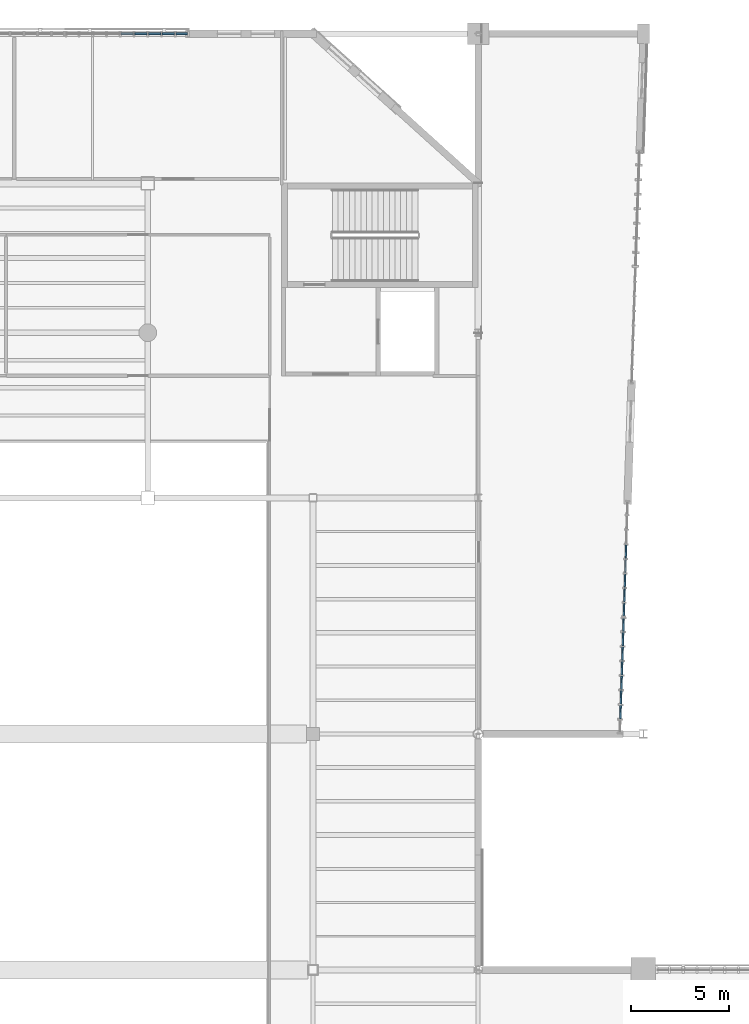
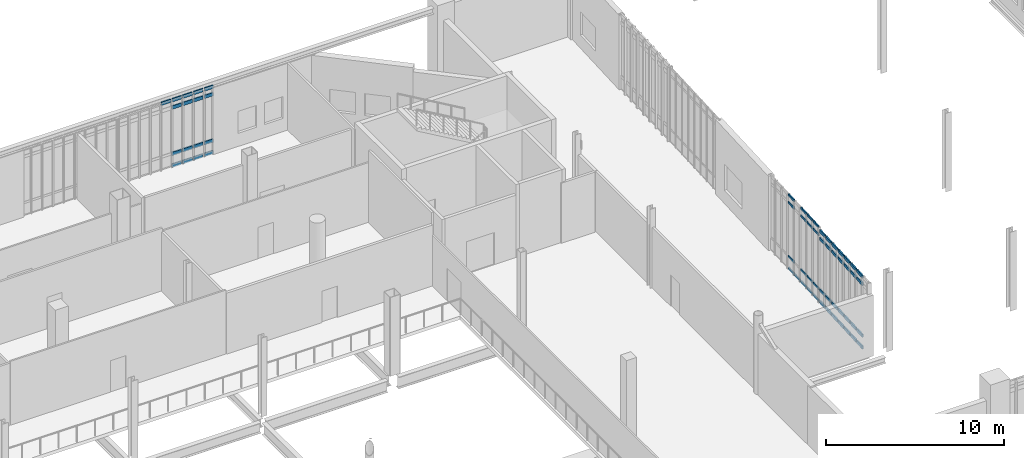
# One storey, part 61 of 127: 62 members, 3 elements without a shape of their own.
"""IFC4 building model written with IfcOpenShell, lengths in metres."""

from ifc_helpers import new_model, si_unit, direction, frame, origin, origin_2d, place, context, subcontext, project, spatial, rectangle, extrude, material, material_profile, profile_set, type_object, element, aggregate, save


model = new_model("IFC4")

# Units and contexts
model_context = context("Model", 3, precision=1e-05, world=origin(), true_north=direction((0.0, 1.0)))
body_context = subcontext(model_context, "Body", "Model", "MODEL_VIEW")
ifc_project = project(units=[si_unit("LENGTHUNIT", "METRE"), si_unit("AREAUNIT", "SQUARE_METRE"), si_unit("VOLUMEUNIT", "CUBIC_METRE"), si_unit("PLANEANGLEUNIT", "RADIAN"), si_unit("MASSUNIT", "GRAM", prefix="KILO")], contexts=[model_context])

# Site, building, storey
site_placement = place(None, origin())
site = spatial("IfcSite", under=ifc_project, at=site_placement, CompositionType="ELEMENT")
building_placement = place(site_placement, origin())
building = spatial("IfcBuilding", under=site, at=building_placement, Name="Larkvane Passage Sports Hall", CompositionType="ELEMENT")
storey_placement = place(building_placement, frame((0.0, 0.0, 5.39990234375)))
storey = spatial("IfcBuildingStorey", under=building, at=storey_placement, Name="L01", CompositionType="ELEMENT", Elevation=5.39990234375)

# Curtain wall, members
ifc_material_1 = material(Name="Thermally broken aluminium and low-E glazing", Category="aluminium")
curtain_wall_type_1 = type_object("IfcCurtainWallType", Name="CW-UNIT-VEIL", PredefinedType="USERDEFINED", material=ifc_material_1)
curtain_wall_1_placement = place(storey_placement, origin())
curtain_wall_1 = element("IfcCurtainWall", 1, at=curtain_wall_1_placement, inside=storey, type_object=curtain_wall_type_1, Name="Curtain wall CW5-L01-045", ObjectType="UNITISED CURTAIN WALL", PredefinedType="USERDEFINED")
ifc_material_2 = material(Name="Anodised aluminium 6063-T6", Category="aluminium")
ifc_material_profile_1 = material_profile(ifc_material_2, rectangle(XDim=0.070068359375, YDim=0.159912109375, at=origin_2d()), Name="ALU-TRN-70x160")
ifc_profile_set_1 = profile_set([ifc_material_profile_1], Name="Anodised aluminium 6063-T6")
member_type_1 = type_object("IfcMemberType", Name="CW-TRN-70x160", PredefinedType="USERDEFINED", material=ifc_profile_set_1)
member_1_placement = place(storey_placement, frame((101.123779296875, 73.206787109375, 0.03515625), z_axis=(-0.033774324884, -0.999429484745, 0.0), x_axis=(0.999429484745, -0.033774324884, 0.0)))
member_1 = element("IfcMember", 2, at=member_1_placement, type_object=member_type_1, Name="CW-02 transom 4.1", ObjectType="TRANSOM", PredefinedType="USERDEFINED", context=body_context, shape_type="SweptSolid", body=[
    extrude(rectangle(XDim=0.070068359375, YDim=0.159912109375, at=origin_2d()), origin(), (0.0, 0.0, 1.0), 0.67236328125),
])
member_2_placement = place(storey_placement, frame((101.123779296875, 73.206787109375, 0.85009765625), z_axis=(-0.033774324884, -0.999429484745, 0.0), x_axis=(0.999429484745, -0.033774324884, 0.0)))
member_2 = element("IfcMember", 3, at=member_2_placement, type_object=member_type_1, Name="CW-02 transom 4.2", ObjectType="TRANSOM", PredefinedType="USERDEFINED", context=body_context, shape_type="SweptSolid", body=[
    extrude(rectangle(XDim=0.070068359375, YDim=0.159912109375, at=origin_2d()), origin(), (0.0, 0.0, 1.0), 0.67236328125),
])
member_3_placement = place(storey_placement, frame((101.123779296875, 73.206787109375, 4.550048828125), z_axis=(-0.033774324884, -0.999429484745, 0.0), x_axis=(0.999429484745, -0.033774324884, 0.0)))
member_3 = element("IfcMember", 4, at=member_3_placement, type_object=member_type_1, Name="CW-02 transom 4.3", ObjectType="TRANSOM", PredefinedType="USERDEFINED", context=body_context, shape_type="SweptSolid", body=[
    extrude(rectangle(XDim=0.070068359375, YDim=0.159912109375, at=origin_2d()), origin(), (0.0, 0.0, 1.0), 0.67236328125),
])
member_4_placement = place(storey_placement, frame((101.123779296875, 73.206787109375, 5.065185546875), z_axis=(-0.033774324884, -0.999429484745, 0.0), x_axis=(0.999429484745, -0.033774324884, 0.0)))
member_4 = element("IfcMember", 5, at=member_4_placement, type_object=member_type_1, Name="CW-02 transom 4.4", ObjectType="TRANSOM", PredefinedType="USERDEFINED", context=body_context, shape_type="SweptSolid", body=[
    extrude(rectangle(XDim=0.070068359375, YDim=0.159912109375, at=origin_2d()), origin(), (0.0, 0.0, 1.0), 0.67236328125),
])
member_5_placement = place(storey_placement, frame((101.098876953125, 72.465087890625, 0.03515625), z_axis=(-0.033774324884, -0.999429484745, 0.0), x_axis=(0.999429484745, -0.033774324884, 0.0)))
member_5 = element("IfcMember", 6, at=member_5_placement, type_object=member_type_1, Name="CW-02 transom 5.1", ObjectType="TRANSOM", PredefinedType="USERDEFINED", context=body_context, shape_type="SweptSolid", body=[
    extrude(rectangle(XDim=0.070068359375, YDim=0.159912109375, at=origin_2d()), origin(), (0.0, 0.0, 1.0), 0.67236328125),
])
member_6_placement = place(storey_placement, frame((101.07373046875, 71.723388671875, 0.03515625), z_axis=(-0.033411567714, -0.99944167771, 0.0), x_axis=(0.99944167771, -0.033411567714, 0.0)))
member_6 = element("IfcMember", 7, at=member_6_placement, type_object=member_type_1, Name="CW-02 transom 6.1", ObjectType="TRANSOM", PredefinedType="USERDEFINED", context=body_context, shape_type="SweptSolid", body=[
    extrude(rectangle(XDim=0.070068359375, YDim=0.159912109375, at=origin_2d()), origin(), (0.0, 0.0, 1.0), 0.67236328125),
])
member_7_placement = place(storey_placement, frame((101.07373046875, 71.723388671875, 0.85009765625), z_axis=(-0.033411567714, -0.99944167771, 0.0), x_axis=(0.99944167771, -0.033411567714, 0.0)))
member_7 = element("IfcMember", 8, at=member_7_placement, type_object=member_type_1, Name="CW-02 transom 6.2", ObjectType="TRANSOM", PredefinedType="USERDEFINED", context=body_context, shape_type="SweptSolid", body=[
    extrude(rectangle(XDim=0.070068359375, YDim=0.159912109375, at=origin_2d()), origin(), (0.0, 0.0, 1.0), 0.67236328125),
])
member_8_placement = place(storey_placement, frame((101.07373046875, 71.723388671875, 4.550048828125), z_axis=(-0.033411567714, -0.99944167771, 0.0), x_axis=(0.99944167771, -0.033411567714, 0.0)))
member_8 = element("IfcMember", 9, at=member_8_placement, type_object=member_type_1, Name="CW-02 transom 6.3", ObjectType="TRANSOM", PredefinedType="USERDEFINED", context=body_context, shape_type="SweptSolid", body=[
    extrude(rectangle(XDim=0.070068359375, YDim=0.159912109375, at=origin_2d()), origin(), (0.0, 0.0, 1.0), 0.67236328125),
])
member_9_placement = place(storey_placement, frame((101.07373046875, 71.723388671875, 5.065185546875), z_axis=(-0.033411567714, -0.99944167771, 0.0), x_axis=(0.99944167771, -0.033411567714, 0.0)))
member_9 = element("IfcMember", 10, at=member_9_placement, type_object=member_type_1, Name="CW-02 transom 6.4", ObjectType="TRANSOM", PredefinedType="USERDEFINED", context=body_context, shape_type="SweptSolid", body=[
    extrude(rectangle(XDim=0.070068359375, YDim=0.159912109375, at=origin_2d()), origin(), (0.0, 0.0, 1.0), 0.67236328125),
])
member_10_placement = place(storey_placement, frame((101.048828125, 70.981689453125, 0.03515625), z_axis=(-0.03378658798, -0.999429070256, 0.0), x_axis=(0.999429070256, -0.03378658798, 0.0)))
member_10 = element("IfcMember", 11, at=member_10_placement, type_object=member_type_1, Name="CW-02 transom 7.1", ObjectType="TRANSOM", PredefinedType="USERDEFINED", context=body_context, shape_type="SweptSolid", body=[
    extrude(rectangle(XDim=0.070068359375, YDim=0.159912109375, at=origin_2d()), origin(), (0.0, 0.0, 1.0), 0.672119140625),
])
member_11_placement = place(storey_placement, frame((101.048828125, 70.981689453125, 0.85009765625), z_axis=(-0.03378658798, -0.999429070256, 0.0), x_axis=(0.999429070256, -0.03378658798, 0.0)))
member_11 = element("IfcMember", 12, at=member_11_placement, type_object=member_type_1, Name="CW-02 transom 7.2", ObjectType="TRANSOM", PredefinedType="USERDEFINED", context=body_context, shape_type="SweptSolid", body=[
    extrude(rectangle(XDim=0.070068359375, YDim=0.159912109375, at=origin_2d()), origin(), (0.0, 0.0, 1.0), 0.672119140625),
])
member_12_placement = place(storey_placement, frame((101.048828125, 70.981689453125, 4.550048828125), z_axis=(-0.03378658798, -0.999429070256, 0.0), x_axis=(0.999429070256, -0.03378658798, 0.0)))
member_12 = element("IfcMember", 13, at=member_12_placement, type_object=member_type_1, Name="CW-02 transom 7.3", ObjectType="TRANSOM", PredefinedType="USERDEFINED", context=body_context, shape_type="SweptSolid", body=[
    extrude(rectangle(XDim=0.070068359375, YDim=0.159912109375, at=origin_2d()), origin(), (0.0, 0.0, 1.0), 0.672119140625),
])
member_13_placement = place(storey_placement, frame((101.048828125, 70.981689453125, 5.065185546875), z_axis=(-0.03378658798, -0.999429070256, 0.0), x_axis=(0.999429070256, -0.03378658798, 0.0)))
member_13 = element("IfcMember", 14, at=member_13_placement, type_object=member_type_1, Name="CW-02 transom 7.4", ObjectType="TRANSOM", PredefinedType="USERDEFINED", context=body_context, shape_type="SweptSolid", body=[
    extrude(rectangle(XDim=0.070068359375, YDim=0.159912109375, at=origin_2d()), origin(), (0.0, 0.0, 1.0), 0.672119140625),
])
member_14_placement = place(storey_placement, frame((101.02392578125, 70.239990234375, 0.03515625), z_axis=(-0.033723139095, -0.999431213186, 0.0), x_axis=(0.999431213186, -0.033723139095, 0.0)))
member_14 = element("IfcMember", 15, at=member_14_placement, type_object=member_type_1, Name="CW-02 transom 8.1", ObjectType="TRANSOM", PredefinedType="USERDEFINED", context=body_context, shape_type="SweptSolid", body=[
    extrude(rectangle(XDim=0.070068359375, YDim=0.159912109375, at=origin_2d()), origin(), (0.0, 0.0, 1.0), 0.636962890625),
])
member_15_placement = place(storey_placement, frame((101.02392578125, 70.239990234375, 0.85009765625), z_axis=(-0.033723139095, -0.999431213186, 0.0), x_axis=(0.999431213186, -0.033723139095, 0.0)))
member_15 = element("IfcMember", 16, at=member_15_placement, type_object=member_type_1, Name="CW-02 transom 8.2", ObjectType="TRANSOM", PredefinedType="USERDEFINED", context=body_context, shape_type="SweptSolid", body=[
    extrude(rectangle(XDim=0.070068359375, YDim=0.159912109375, at=origin_2d()), origin(), (0.0, 0.0, 1.0), 0.636962890625),
])
member_16_placement = place(storey_placement, frame((101.02392578125, 70.239990234375, 4.550048828125), z_axis=(-0.033723139095, -0.999431213186, 0.0), x_axis=(0.999431213186, -0.033723139095, 0.0)))
member_16 = element("IfcMember", 17, at=member_16_placement, type_object=member_type_1, Name="CW-02 transom 8.3", ObjectType="TRANSOM", PredefinedType="USERDEFINED", context=body_context, shape_type="SweptSolid", body=[
    extrude(rectangle(XDim=0.070068359375, YDim=0.159912109375, at=origin_2d()), origin(), (0.0, 0.0, 1.0), 0.636962890625),
])
member_17_placement = place(storey_placement, frame((101.02392578125, 70.239990234375, 5.065185546875), z_axis=(-0.033723139095, -0.999431213186, 0.0), x_axis=(0.999431213186, -0.033723139095, 0.0)))
member_17 = element("IfcMember", 18, at=member_17_placement, type_object=member_type_1, Name="CW-02 transom 8.4", ObjectType="TRANSOM", PredefinedType="USERDEFINED", context=body_context, shape_type="SweptSolid", body=[
    extrude(rectangle(XDim=0.070068359375, YDim=0.159912109375, at=origin_2d()), origin(), (0.0, 0.0, 1.0), 0.636962890625),
])
aggregate(curtain_wall_1, [member_1, member_2, member_3, member_4, member_5, member_6, member_7, member_8, member_9, member_10, member_11, member_12, member_13, member_14, member_15, member_16, member_17])

curtain_wall_type_2 = type_object("IfcCurtainWallType", Name="CW-STICK-FOYER", PredefinedType="USERDEFINED", material=ifc_material_1)
curtain_wall_2_placement = place(storey_placement, origin())
curtain_wall_2 = element("IfcCurtainWall", 19, at=curtain_wall_2_placement, inside=storey, type_object=curtain_wall_type_2, Name="Curtain wall CW5-L01-046", ObjectType="STICK CURTAIN WALL", PredefinedType="USERDEFINED")
ifc_material_profile_2 = material_profile(ifc_material_2, rectangle(XDim=0.080078125, YDim=0.2099609375, at=origin_2d()), Name="ALU-TRN-80x210")
ifc_profile_set_2 = profile_set([ifc_material_profile_2], Name="Anodised aluminium 6063-T6")
member_type_2 = type_object("IfcMemberType", Name="CW-TRN-80x210", PredefinedType="USERDEFINED", material=ifc_profile_set_2)
member_18_placement = place(storey_placement, frame((100.997314453125, 69.453369140625, 0.0400390625), z_axis=(-0.033745982734, -0.999430442127, 0.0), x_axis=(0.999430442127, -0.033745982734, 0.0)))
member_18 = element("IfcMember", 20, at=member_18_placement, type_object=member_type_2, Name="CW-03 transom 1.1", ObjectType="TRANSOM", PredefinedType="USERDEFINED", context=body_context, shape_type="SweptSolid", body=[
    extrude(rectangle(XDim=0.080078125, YDim=0.2099609375, at=origin_2d()), origin(), (0.0, 0.0, 1.0), 0.6220703125),
])
member_19_placement = place(storey_placement, frame((100.997314453125, 69.453369140625, 0.85009765625), z_axis=(-0.033745982734, -0.999430442127, 0.0), x_axis=(0.999430442127, -0.033745982734, 0.0)))
member_19 = element("IfcMember", 21, at=member_19_placement, type_object=member_type_2, Name="CW-03 transom 1.2", ObjectType="TRANSOM", PredefinedType="USERDEFINED", context=body_context, shape_type="SweptSolid", body=[
    extrude(rectangle(XDim=0.080078125, YDim=0.2099609375, at=origin_2d()), origin(), (0.0, 0.0, 1.0), 0.6220703125),
])
member_20_placement = place(storey_placement, frame((100.997314453125, 69.453369140625, 4.38818359375), z_axis=(-0.033745982734, -0.999430442127, 0.0), x_axis=(0.999430442127, -0.033745982734, 0.0)))
member_20 = element("IfcMember", 22, at=member_20_placement, type_object=member_type_2, Name="CW-03 transom 1.3", ObjectType="TRANSOM", PredefinedType="USERDEFINED", context=body_context, shape_type="SweptSolid", body=[
    extrude(rectangle(XDim=0.080078125, YDim=0.2099609375, at=origin_2d()), origin(), (0.0, 0.0, 1.0), 0.6220703125),
])
member_21_placement = place(storey_placement, frame((100.997314453125, 69.453369140625, 4.898193359375), z_axis=(-0.033745982734, -0.999430442127, 0.0), x_axis=(0.999430442127, -0.033745982734, 0.0)))
member_21 = element("IfcMember", 23, at=member_21_placement, type_object=member_type_2, Name="CW-03 transom 1.4", ObjectType="TRANSOM", PredefinedType="USERDEFINED", context=body_context, shape_type="SweptSolid", body=[
    extrude(rectangle(XDim=0.080078125, YDim=0.2099609375, at=origin_2d()), origin(), (0.0, 0.0, 1.0), 0.6220703125),
])
member_22_placement = place(storey_placement, frame((100.9736328125, 68.751708984375, 0.0400390625), z_axis=(-0.033548054817, -0.999437105584, 0.0), x_axis=(0.999437105584, -0.033548054817, 0.0)))
member_22 = element("IfcMember", 24, at=member_22_placement, type_object=member_type_2, Name="CW-03 transom 2.1", ObjectType="TRANSOM", PredefinedType="USERDEFINED", context=body_context, shape_type="SweptSolid", body=[
    extrude(rectangle(XDim=0.080078125, YDim=0.2099609375, at=origin_2d()), origin(), (0.0, 0.0, 1.0), 0.662353515625),
])
member_23_placement = place(storey_placement, frame((100.9736328125, 68.751708984375, 0.85009765625), z_axis=(-0.033548054817, -0.999437105584, 0.0), x_axis=(0.999437105584, -0.033548054817, 0.0)))
member_23 = element("IfcMember", 25, at=member_23_placement, type_object=member_type_2, Name="CW-03 transom 2.2", ObjectType="TRANSOM", PredefinedType="USERDEFINED", context=body_context, shape_type="SweptSolid", body=[
    extrude(rectangle(XDim=0.080078125, YDim=0.2099609375, at=origin_2d()), origin(), (0.0, 0.0, 1.0), 0.662353515625),
])
member_24_placement = place(storey_placement, frame((100.9736328125, 68.751708984375, 4.38818359375), z_axis=(-0.033548054817, -0.999437105584, 0.0), x_axis=(0.999437105584, -0.033548054817, 0.0)))
member_24 = element("IfcMember", 26, at=member_24_placement, type_object=member_type_2, Name="CW-03 transom 2.3", ObjectType="TRANSOM", PredefinedType="USERDEFINED", context=body_context, shape_type="SweptSolid", body=[
    extrude(rectangle(XDim=0.080078125, YDim=0.2099609375, at=origin_2d()), origin(), (0.0, 0.0, 1.0), 0.662353515625),
])
member_25_placement = place(storey_placement, frame((100.9736328125, 68.751708984375, 4.898193359375), z_axis=(-0.033548054817, -0.999437105584, 0.0), x_axis=(0.999437105584, -0.033548054817, 0.0)))
member_25 = element("IfcMember", 27, at=member_25_placement, type_object=member_type_2, Name="CW-03 transom 2.4", ObjectType="TRANSOM", PredefinedType="USERDEFINED", context=body_context, shape_type="SweptSolid", body=[
    extrude(rectangle(XDim=0.080078125, YDim=0.2099609375, at=origin_2d()), origin(), (0.0, 0.0, 1.0), 0.662353515625),
])
member_26_placement = place(storey_placement, frame((100.94873046875, 68.010009765625, 0.0400390625), z_axis=(-0.03392879382, -0.999424252733, 0.0), x_axis=(0.999424252733, -0.03392879382, 0.0)))
member_26 = element("IfcMember", 28, at=member_26_placement, type_object=member_type_2, Name="CW-03 transom 3.1", ObjectType="TRANSOM", PredefinedType="USERDEFINED", context=body_context, shape_type="SweptSolid", body=[
    extrude(rectangle(XDim=0.080078125, YDim=0.2099609375, at=origin_2d()), origin(), (0.0, 0.0, 1.0), 0.662109375),
])
member_27_placement = place(storey_placement, frame((100.94873046875, 68.010009765625, 0.85009765625), z_axis=(-0.03392879382, -0.999424252733, 0.0), x_axis=(0.999424252733, -0.03392879382, 0.0)))
member_27 = element("IfcMember", 29, at=member_27_placement, type_object=member_type_2, Name="CW-03 transom 3.2", ObjectType="TRANSOM", PredefinedType="USERDEFINED", context=body_context, shape_type="SweptSolid", body=[
    extrude(rectangle(XDim=0.080078125, YDim=0.2099609375, at=origin_2d()), origin(), (0.0, 0.0, 1.0), 0.662109375),
])
member_28_placement = place(storey_placement, frame((100.94873046875, 68.010009765625, 4.38818359375), z_axis=(-0.03392879382, -0.999424252733, 0.0), x_axis=(0.999424252733, -0.03392879382, 0.0)))
member_28 = element("IfcMember", 30, at=member_28_placement, type_object=member_type_2, Name="CW-03 transom 3.3", ObjectType="TRANSOM", PredefinedType="USERDEFINED", context=body_context, shape_type="SweptSolid", body=[
    extrude(rectangle(XDim=0.080078125, YDim=0.2099609375, at=origin_2d()), origin(), (0.0, 0.0, 1.0), 0.662109375),
])
member_29_placement = place(storey_placement, frame((100.94873046875, 68.010009765625, 4.898193359375), z_axis=(-0.03392879382, -0.999424252733, 0.0), x_axis=(0.999424252733, -0.03392879382, 0.0)))
member_29 = element("IfcMember", 31, at=member_29_placement, type_object=member_type_2, Name="CW-03 transom 3.4", ObjectType="TRANSOM", PredefinedType="USERDEFINED", context=body_context, shape_type="SweptSolid", body=[
    extrude(rectangle(XDim=0.080078125, YDim=0.2099609375, at=origin_2d()), origin(), (0.0, 0.0, 1.0), 0.662109375),
])
member_30_placement = place(storey_placement, frame((100.923583984375, 67.268310546875, 0.0400390625), z_axis=(-0.033560420232, -0.999436690438, 0.0), x_axis=(0.999436690438, -0.033560420232, 0.0)))
member_30 = element("IfcMember", 32, at=member_30_placement, type_object=member_type_2, Name="CW-03 transom 4.1", ObjectType="TRANSOM", PredefinedType="USERDEFINED", context=body_context, shape_type="SweptSolid", body=[
    extrude(rectangle(XDim=0.080078125, YDim=0.2099609375, at=origin_2d()), origin(), (0.0, 0.0, 1.0), 0.662109375),
])
member_31_placement = place(storey_placement, frame((100.923583984375, 67.268310546875, 0.85009765625), z_axis=(-0.033560420232, -0.999436690438, 0.0), x_axis=(0.999436690438, -0.033560420232, 0.0)))
member_31 = element("IfcMember", 33, at=member_31_placement, type_object=member_type_2, Name="CW-03 transom 4.2", ObjectType="TRANSOM", PredefinedType="USERDEFINED", context=body_context, shape_type="SweptSolid", body=[
    extrude(rectangle(XDim=0.080078125, YDim=0.2099609375, at=origin_2d()), origin(), (0.0, 0.0, 1.0), 0.662109375),
])
member_32_placement = place(storey_placement, frame((100.923583984375, 67.268310546875, 4.38818359375), z_axis=(-0.033560420232, -0.999436690438, 0.0), x_axis=(0.999436690438, -0.033560420232, 0.0)))
member_32 = element("IfcMember", 34, at=member_32_placement, type_object=member_type_2, Name="CW-03 transom 4.3", ObjectType="TRANSOM", PredefinedType="USERDEFINED", context=body_context, shape_type="SweptSolid", body=[
    extrude(rectangle(XDim=0.080078125, YDim=0.2099609375, at=origin_2d()), origin(), (0.0, 0.0, 1.0), 0.662109375),
])
member_33_placement = place(storey_placement, frame((100.923583984375, 67.268310546875, 4.898193359375), z_axis=(-0.033560420232, -0.999436690438, 0.0), x_axis=(0.999436690438, -0.033560420232, 0.0)))
member_33 = element("IfcMember", 35, at=member_33_placement, type_object=member_type_2, Name="CW-03 transom 4.4", ObjectType="TRANSOM", PredefinedType="USERDEFINED", context=body_context, shape_type="SweptSolid", body=[
    extrude(rectangle(XDim=0.080078125, YDim=0.2099609375, at=origin_2d()), origin(), (0.0, 0.0, 1.0), 0.662109375),
])
member_34_placement = place(storey_placement, frame((100.898681640625, 66.526611328125, 0.0400390625), z_axis=(-0.033560420232, -0.999436690438, 0.0), x_axis=(0.999436690438, -0.033560420232, 0.0)))
member_34 = element("IfcMember", 36, at=member_34_placement, type_object=member_type_2, Name="CW-03 transom 5.1", ObjectType="TRANSOM", PredefinedType="USERDEFINED", context=body_context, shape_type="SweptSolid", body=[
    extrude(rectangle(XDim=0.080078125, YDim=0.2099609375, at=origin_2d()), origin(), (0.0, 0.0, 1.0), 0.662109375),
])
member_35_placement = place(storey_placement, frame((100.898681640625, 66.526611328125, 0.85009765625), z_axis=(-0.033560420232, -0.999436690438, 0.0), x_axis=(0.999436690438, -0.033560420232, 0.0)))
member_35 = element("IfcMember", 37, at=member_35_placement, type_object=member_type_2, Name="CW-03 transom 5.2", ObjectType="TRANSOM", PredefinedType="USERDEFINED", context=body_context, shape_type="SweptSolid", body=[
    extrude(rectangle(XDim=0.080078125, YDim=0.2099609375, at=origin_2d()), origin(), (0.0, 0.0, 1.0), 0.662109375),
])
member_36_placement = place(storey_placement, frame((100.898681640625, 66.526611328125, 4.38818359375), z_axis=(-0.033560420232, -0.999436690438, 0.0), x_axis=(0.999436690438, -0.033560420232, 0.0)))
member_36 = element("IfcMember", 38, at=member_36_placement, type_object=member_type_2, Name="CW-03 transom 5.3", ObjectType="TRANSOM", PredefinedType="USERDEFINED", context=body_context, shape_type="SweptSolid", body=[
    extrude(rectangle(XDim=0.080078125, YDim=0.2099609375, at=origin_2d()), origin(), (0.0, 0.0, 1.0), 0.662109375),
])
member_37_placement = place(storey_placement, frame((100.898681640625, 66.526611328125, 4.898193359375), z_axis=(-0.033560420232, -0.999436690438, 0.0), x_axis=(0.999436690438, -0.033560420232, 0.0)))
member_37 = element("IfcMember", 39, at=member_37_placement, type_object=member_type_2, Name="CW-03 transom 5.4", ObjectType="TRANSOM", PredefinedType="USERDEFINED", context=body_context, shape_type="SweptSolid", body=[
    extrude(rectangle(XDim=0.080078125, YDim=0.2099609375, at=origin_2d()), origin(), (0.0, 0.0, 1.0), 0.662109375),
])
member_38_placement = place(storey_placement, frame((100.87353515625, 65.784912109375, 0.0400390625), z_axis=(-0.033560420232, -0.999436690438, 0.0), x_axis=(0.999436690438, -0.033560420232, 0.0)))
member_38 = element("IfcMember", 40, at=member_38_placement, type_object=member_type_2, Name="CW-03 transom 6.1", ObjectType="TRANSOM", PredefinedType="USERDEFINED", context=body_context, shape_type="SweptSolid", body=[
    extrude(rectangle(XDim=0.080078125, YDim=0.2099609375, at=origin_2d()), origin(), (0.0, 0.0, 1.0), 0.662109375),
])
member_39_placement = place(storey_placement, frame((100.87353515625, 65.784912109375, 0.85009765625), z_axis=(-0.033560420232, -0.999436690438, 0.0), x_axis=(0.999436690438, -0.033560420232, 0.0)))
member_39 = element("IfcMember", 41, at=member_39_placement, type_object=member_type_2, Name="CW-03 transom 6.2", ObjectType="TRANSOM", PredefinedType="USERDEFINED", context=body_context, shape_type="SweptSolid", body=[
    extrude(rectangle(XDim=0.080078125, YDim=0.2099609375, at=origin_2d()), origin(), (0.0, 0.0, 1.0), 0.662109375),
])
member_40_placement = place(storey_placement, frame((100.87353515625, 65.784912109375, 4.38818359375), z_axis=(-0.033560420232, -0.999436690438, 0.0), x_axis=(0.999436690438, -0.033560420232, 0.0)))
member_40 = element("IfcMember", 42, at=member_40_placement, type_object=member_type_2, Name="CW-03 transom 6.3", ObjectType="TRANSOM", PredefinedType="USERDEFINED", context=body_context, shape_type="SweptSolid", body=[
    extrude(rectangle(XDim=0.080078125, YDim=0.2099609375, at=origin_2d()), origin(), (0.0, 0.0, 1.0), 0.662109375),
])
member_41_placement = place(storey_placement, frame((100.87353515625, 65.784912109375, 4.898193359375), z_axis=(-0.033560420232, -0.999436690438, 0.0), x_axis=(0.999436690438, -0.033560420232, 0.0)))
member_41 = element("IfcMember", 43, at=member_41_placement, type_object=member_type_2, Name="CW-03 transom 6.4", ObjectType="TRANSOM", PredefinedType="USERDEFINED", context=body_context, shape_type="SweptSolid", body=[
    extrude(rectangle(XDim=0.080078125, YDim=0.2099609375, at=origin_2d()), origin(), (0.0, 0.0, 1.0), 0.662109375),
])
member_42_placement = place(storey_placement, frame((100.8486328125, 65.04345703125, 0.0400390625), z_axis=(-0.033548054817, -0.999437105584, 0.0), x_axis=(0.999437105584, -0.033548054817, 0.0)))
member_42 = element("IfcMember", 44, at=member_42_placement, type_object=member_type_2, Name="CW-03 transom 7.1", ObjectType="TRANSOM", PredefinedType="USERDEFINED", context=body_context, shape_type="SweptSolid", body=[
    extrude(rectangle(XDim=0.080078125, YDim=0.2099609375, at=origin_2d()), origin(), (0.0, 0.0, 1.0), 0.662353515625),
])
member_43_placement = place(storey_placement, frame((100.8486328125, 65.04345703125, 0.85009765625), z_axis=(-0.033548054817, -0.999437105584, 0.0), x_axis=(0.999437105584, -0.033548054817, 0.0)))
member_43 = element("IfcMember", 45, at=member_43_placement, type_object=member_type_2, Name="CW-03 transom 7.2", ObjectType="TRANSOM", PredefinedType="USERDEFINED", context=body_context, shape_type="SweptSolid", body=[
    extrude(rectangle(XDim=0.080078125, YDim=0.2099609375, at=origin_2d()), origin(), (0.0, 0.0, 1.0), 0.662353515625),
])
member_44_placement = place(storey_placement, frame((100.8486328125, 65.04345703125, 4.38818359375), z_axis=(-0.033548054817, -0.999437105584, 0.0), x_axis=(0.999437105584, -0.033548054817, 0.0)))
member_44 = element("IfcMember", 46, at=member_44_placement, type_object=member_type_2, Name="CW-03 transom 7.3", ObjectType="TRANSOM", PredefinedType="USERDEFINED", context=body_context, shape_type="SweptSolid", body=[
    extrude(rectangle(XDim=0.080078125, YDim=0.2099609375, at=origin_2d()), origin(), (0.0, 0.0, 1.0), 0.662353515625),
])
member_45_placement = place(storey_placement, frame((100.8486328125, 65.04345703125, 4.898193359375), z_axis=(-0.033548054817, -0.999437105584, 0.0), x_axis=(0.999437105584, -0.033548054817, 0.0)))
member_45 = element("IfcMember", 47, at=member_45_placement, type_object=member_type_2, Name="CW-03 transom 7.4", ObjectType="TRANSOM", PredefinedType="USERDEFINED", context=body_context, shape_type="SweptSolid", body=[
    extrude(rectangle(XDim=0.080078125, YDim=0.2099609375, at=origin_2d()), origin(), (0.0, 0.0, 1.0), 0.662353515625),
])
aggregate(curtain_wall_2, [member_18, member_19, member_20, member_21, member_22, member_23, member_24, member_25, member_26, member_27, member_28, member_29, member_30, member_31, member_32, member_33, member_34, member_35, member_36, member_37, member_38, member_39, member_40, member_41, member_42, member_43, member_44, member_45])

curtain_wall_3_placement = place(storey_placement, origin())
curtain_wall_3 = element("IfcCurtainWall", 48, at=curtain_wall_3_placement, inside=storey, type_object=curtain_wall_type_2, Name="Curtain wall CW5-L01-042", ObjectType="STICK CURTAIN WALL", PredefinedType="USERDEFINED")
ifc_material_profile_3 = material_profile(ifc_material_2, rectangle(XDim=0.090087890625, YDim=0.235107421875, at=origin_2d()), Name="ALU-TRN-90x235")
ifc_profile_set_3 = profile_set([ifc_material_profile_3], Name="Anodised aluminium 6063-T6")
member_type_3 = type_object("IfcMemberType", Name="CW-TRN-90x235", PredefinedType="USERDEFINED", material=ifc_profile_set_3)
member_46_placement = place(storey_placement, frame((75.445068359375, 99.199951171875, 4.533203125), z_axis=(1.0, 0.0, 0.0), x_axis=(0.0, 1.0, 0.0)))
member_46 = element("IfcMember", 49, at=member_46_placement, type_object=member_type_3, Name="CW-03 transom 5.4", ObjectType="TRANSOM", PredefinedType="USERDEFINED", context=body_context, shape_type="SweptSolid", body=[
    extrude(rectangle(XDim=0.090087890625, YDim=0.235107421875, at=origin_2d()), origin(), (0.0, 0.0, 1.0), 0.60986328125),
])
member_47_placement = place(storey_placement, frame((76.14501953125, 99.199951171875, 0.045166015625), z_axis=(1.0, 0.0, 0.0), x_axis=(0.0, 1.0, 0.0)))
member_47 = element("IfcMember", 50, at=member_47_placement, type_object=member_type_3, Name="CW-03 transom 6.1", ObjectType="TRANSOM", PredefinedType="USERDEFINED", context=body_context, shape_type="SweptSolid", body=[
    extrude(rectangle(XDim=0.090087890625, YDim=0.235107421875, at=origin_2d()), origin(), (0.0, 0.0, 1.0), 0.60986328125),
])
member_48_placement = place(storey_placement, frame((76.14501953125, 99.199951171875, 0.85009765625), z_axis=(1.0, 0.0, 0.0), x_axis=(0.0, 1.0, 0.0)))
member_48 = element("IfcMember", 51, at=member_48_placement, type_object=member_type_3, Name="CW-03 transom 6.2", ObjectType="TRANSOM", PredefinedType="USERDEFINED", context=body_context, shape_type="SweptSolid", body=[
    extrude(rectangle(XDim=0.090087890625, YDim=0.235107421875, at=origin_2d()), origin(), (0.0, 0.0, 1.0), 0.60986328125),
])
member_49_placement = place(storey_placement, frame((76.14501953125, 99.199951171875, 4.028076171875), z_axis=(1.0, 0.0, 0.0), x_axis=(0.0, 1.0, 0.0)))
member_49 = element("IfcMember", 52, at=member_49_placement, type_object=member_type_3, Name="CW-03 transom 6.3", ObjectType="TRANSOM", PredefinedType="USERDEFINED", context=body_context, shape_type="SweptSolid", body=[
    extrude(rectangle(XDim=0.090087890625, YDim=0.235107421875, at=origin_2d()), origin(), (0.0, 0.0, 1.0), 0.60986328125),
])
member_50_placement = place(storey_placement, frame((76.14501953125, 99.199951171875, 4.533203125), z_axis=(1.0, 0.0, 0.0), x_axis=(0.0, 1.0, 0.0)))
member_50 = element("IfcMember", 53, at=member_50_placement, type_object=member_type_3, Name="CW-03 transom 6.4", ObjectType="TRANSOM", PredefinedType="USERDEFINED", context=body_context, shape_type="SweptSolid", body=[
    extrude(rectangle(XDim=0.090087890625, YDim=0.235107421875, at=origin_2d()), origin(), (0.0, 0.0, 1.0), 0.60986328125),
])
member_51_placement = place(storey_placement, frame((76.844970703125, 99.199951171875, 0.045166015625), z_axis=(1.0, 0.0, 0.0), x_axis=(0.0, 1.0, 0.0)))
member_51 = element("IfcMember", 54, at=member_51_placement, type_object=member_type_3, Name="CW-03 transom 7.1", ObjectType="TRANSOM", PredefinedType="USERDEFINED", context=body_context, shape_type="SweptSolid", body=[
    extrude(rectangle(XDim=0.090087890625, YDim=0.235107421875, at=origin_2d()), origin(), (0.0, 0.0, 1.0), 0.610107421875),
])
member_52_placement = place(storey_placement, frame((76.844970703125, 99.199951171875, 0.85009765625), z_axis=(1.0, 0.0, 0.0), x_axis=(0.0, 1.0, 0.0)))
member_52 = element("IfcMember", 55, at=member_52_placement, type_object=member_type_3, Name="CW-03 transom 7.2", ObjectType="TRANSOM", PredefinedType="USERDEFINED", context=body_context, shape_type="SweptSolid", body=[
    extrude(rectangle(XDim=0.090087890625, YDim=0.235107421875, at=origin_2d()), origin(), (0.0, 0.0, 1.0), 0.610107421875),
])
member_53_placement = place(storey_placement, frame((76.844970703125, 99.199951171875, 4.028076171875), z_axis=(1.0, 0.0, 0.0), x_axis=(0.0, 1.0, 0.0)))
member_53 = element("IfcMember", 56, at=member_53_placement, type_object=member_type_3, Name="CW-03 transom 7.3", ObjectType="TRANSOM", PredefinedType="USERDEFINED", context=body_context, shape_type="SweptSolid", body=[
    extrude(rectangle(XDim=0.090087890625, YDim=0.235107421875, at=origin_2d()), origin(), (0.0, 0.0, 1.0), 0.610107421875),
])
member_54_placement = place(storey_placement, frame((76.844970703125, 99.199951171875, 4.533203125), z_axis=(1.0, 0.0, 0.0), x_axis=(0.0, 1.0, 0.0)))
member_54 = element("IfcMember", 57, at=member_54_placement, type_object=member_type_3, Name="CW-03 transom 7.4", ObjectType="TRANSOM", PredefinedType="USERDEFINED", context=body_context, shape_type="SweptSolid", body=[
    extrude(rectangle(XDim=0.090087890625, YDim=0.235107421875, at=origin_2d()), origin(), (0.0, 0.0, 1.0), 0.610107421875),
])
member_55_placement = place(storey_placement, frame((77.544921875, 99.199951171875, 0.045166015625), z_axis=(1.0, 0.0, 0.0), x_axis=(0.0, 1.0, 0.0)))
member_55 = element("IfcMember", 58, at=member_55_placement, type_object=member_type_3, Name="CW-03 transom 8.1", ObjectType="TRANSOM", PredefinedType="USERDEFINED", context=body_context, shape_type="SweptSolid", body=[
    extrude(rectangle(XDim=0.090087890625, YDim=0.235107421875, at=origin_2d()), origin(), (0.0, 0.0, 1.0), 0.610107421875),
])
member_56_placement = place(storey_placement, frame((77.544921875, 99.199951171875, 0.85009765625), z_axis=(1.0, 0.0, 0.0), x_axis=(0.0, 1.0, 0.0)))
member_56 = element("IfcMember", 59, at=member_56_placement, type_object=member_type_3, Name="CW-03 transom 8.2", ObjectType="TRANSOM", PredefinedType="USERDEFINED", context=body_context, shape_type="SweptSolid", body=[
    extrude(rectangle(XDim=0.090087890625, YDim=0.235107421875, at=origin_2d()), origin(), (0.0, 0.0, 1.0), 0.610107421875),
])
member_57_placement = place(storey_placement, frame((77.544921875, 99.199951171875, 4.028076171875), z_axis=(1.0, 0.0, 0.0), x_axis=(0.0, 1.0, 0.0)))
member_57 = element("IfcMember", 60, at=member_57_placement, type_object=member_type_3, Name="CW-03 transom 8.3", ObjectType="TRANSOM", PredefinedType="USERDEFINED", context=body_context, shape_type="SweptSolid", body=[
    extrude(rectangle(XDim=0.090087890625, YDim=0.235107421875, at=origin_2d()), origin(), (0.0, 0.0, 1.0), 0.610107421875),
])
member_58_placement = place(storey_placement, frame((77.544921875, 99.199951171875, 4.533203125), z_axis=(1.0, 0.0, 0.0), x_axis=(0.0, 1.0, 0.0)))
member_58 = element("IfcMember", 61, at=member_58_placement, type_object=member_type_3, Name="CW-03 transom 8.4", ObjectType="TRANSOM", PredefinedType="USERDEFINED", context=body_context, shape_type="SweptSolid", body=[
    extrude(rectangle(XDim=0.090087890625, YDim=0.235107421875, at=origin_2d()), origin(), (0.0, 0.0, 1.0), 0.610107421875),
])
member_59_placement = place(storey_placement, frame((78.2451171875, 99.199951171875, 0.045166015625), z_axis=(1.0, 0.0, 0.0), x_axis=(0.0, 1.0, 0.0)))
member_59 = element("IfcMember", 62, at=member_59_placement, type_object=member_type_3, Name="CW-03 transom 9.1", ObjectType="TRANSOM", PredefinedType="USERDEFINED", context=body_context, shape_type="SweptSolid", body=[
    extrude(rectangle(XDim=0.090087890625, YDim=0.235107421875, at=origin_2d()), origin(), (0.0, 0.0, 1.0), 0.56494140625),
])
member_60_placement = place(storey_placement, frame((78.2451171875, 99.199951171875, 0.85009765625), z_axis=(1.0, 0.0, 0.0), x_axis=(0.0, 1.0, 0.0)))
member_60 = element("IfcMember", 63, at=member_60_placement, type_object=member_type_3, Name="CW-03 transom 9.2", ObjectType="TRANSOM", PredefinedType="USERDEFINED", context=body_context, shape_type="SweptSolid", body=[
    extrude(rectangle(XDim=0.090087890625, YDim=0.235107421875, at=origin_2d()), origin(), (0.0, 0.0, 1.0), 0.56494140625),
])
member_61_placement = place(storey_placement, frame((78.2451171875, 99.199951171875, 4.028076171875), z_axis=(1.0, 0.0, 0.0), x_axis=(0.0, 1.0, 0.0)))
member_61 = element("IfcMember", 64, at=member_61_placement, type_object=member_type_3, Name="CW-03 transom 9.3", ObjectType="TRANSOM", PredefinedType="USERDEFINED", context=body_context, shape_type="SweptSolid", body=[
    extrude(rectangle(XDim=0.090087890625, YDim=0.235107421875, at=origin_2d()), origin(), (0.0, 0.0, 1.0), 0.56494140625),
])
member_62_placement = place(storey_placement, frame((78.2451171875, 99.199951171875, 4.533203125), z_axis=(1.0, 0.0, 0.0), x_axis=(0.0, 1.0, 0.0)))
member_62 = element("IfcMember", 65, at=member_62_placement, type_object=member_type_3, Name="CW-03 transom 9.4", ObjectType="TRANSOM", PredefinedType="USERDEFINED", context=body_context, shape_type="SweptSolid", body=[
    extrude(rectangle(XDim=0.090087890625, YDim=0.235107421875, at=origin_2d()), origin(), (0.0, 0.0, 1.0), 0.56494140625),
])
aggregate(curtain_wall_3, [member_46, member_47, member_48, member_49, member_50, member_51, member_52, member_53, member_54, member_55, member_56, member_57, member_58, member_59, member_60, member_61, member_62])

save(model, "model.ifc")
